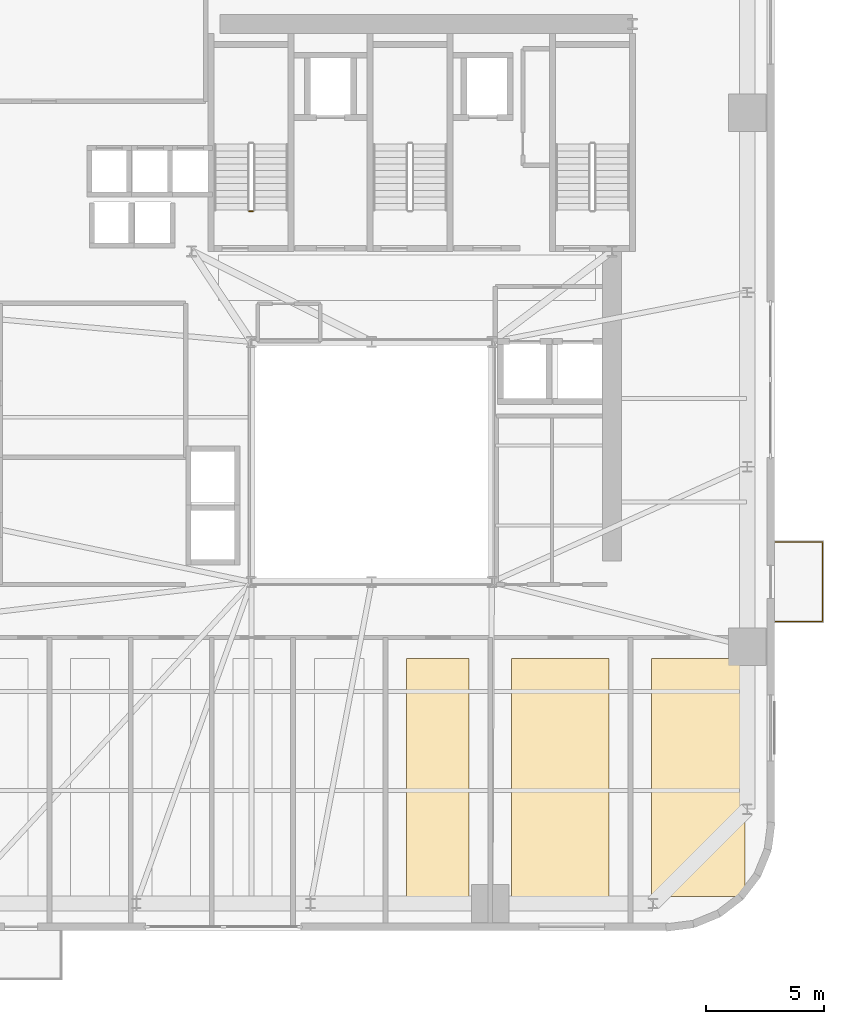
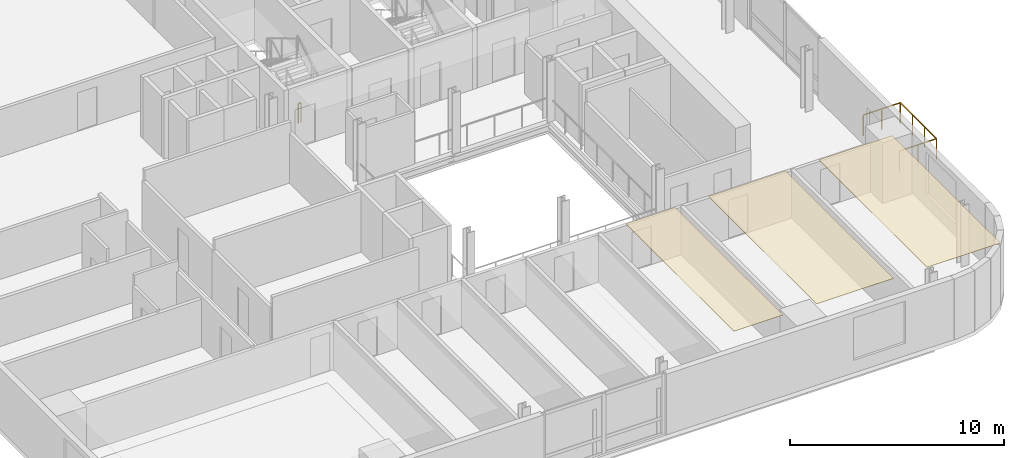
# One storey, part 11 of 14: 3 coverings, 2 railings.
"""IFC4 building model written with IfcOpenShell, lengths in metres."""

from ifc_helpers import new_model, si_unit, direction, frame, origin, origin_2d, place, context, subcontext, project, spatial, polyline, rectangle, outline, extrude, source, transform, mapped, material, layer, layer_set, type_object, element, save


model = new_model("IFC4")

# Units and contexts
model_context = context("Model", 3, precision=1e-05, world=origin(), true_north=direction((0.0, 1.0)))
body_context = subcontext(model_context, "Body", "Model", "MODEL_VIEW")
ifc_project = project(units=[si_unit("LENGTHUNIT", "METRE"), si_unit("AREAUNIT", "SQUARE_METRE"), si_unit("VOLUMEUNIT", "CUBIC_METRE"), si_unit("PLANEANGLEUNIT", "RADIAN"), si_unit("MASSUNIT", "GRAM", prefix="KILO")], contexts=[model_context])

# Site, building, storey
site_placement = place(None, origin())
site = spatial("IfcSite", under=ifc_project, at=site_placement, CompositionType="ELEMENT")
building_placement = place(site_placement, origin())
building = spatial("IfcBuilding", under=site, at=building_placement, Name="Vardaveli Station Tower", CompositionType="ELEMENT")
storey_placement = place(building_placement, frame((0.0, 0.0, 133.5)))
storey = spatial("IfcBuildingStorey", under=building, at=storey_placement, Name="L34", CompositionType="ELEMENT", Elevation=133.5)

# Coverings
ifc_material_1 = material(Name="Perforated acoustic mineral ceiling")
ifc_layer = layer(ifc_material_1, 0.02001953125, Name="Perforated acoustic mineral ceiling")
ifc_layer_set = layer_set([ifc_layer], Name="Perforated acoustic mineral ceiling")
covering_type = type_object("IfcCoveringType", Name="COV-CEIL-AC20", PredefinedType="CEILING", material=ifc_layer_set)
covering_1_placement = place(storey_placement, frame((0.0, 0.0, 3.445068359375)))
element("IfcCovering", 1, at=covering_1_placement, inside=storey, type_object=covering_type, Name="CEIL-L34-6", PredefinedType="CEILING", context=body_context, shape_type="SweptSolid", body=[
    extrude(outline(polyline([(37.78173828125, 3.25), (40.4345703125, 3.25), (40.4345703125, 13.35009765625), (37.78173828125, 13.35009765625), (37.78173828125, 3.25)])), origin(), (0.0, 0.0, 1.0), 0.02001953125),
])
covering_2_placement = place(storey_placement, frame((0.0, 0.0, 3.445068359375)))
element("IfcCovering", 2, at=covering_2_placement, inside=storey, type_object=covering_type, Name="CEIL-L34-7", PredefinedType="CEILING", context=body_context, shape_type="SweptSolid", body=[
    extrude(outline(polyline([(42.234619140625, 3.25), (46.387451171875, 3.25), (46.387451171875, 13.35009765625), (42.234619140625, 13.35009765625), (42.234619140625, 3.25)])), origin(), (0.0, 0.0, 1.0), 0.02001953125),
])
covering_3_placement = place(storey_placement, frame((0.0, 0.0, 3.445068359375)))
element("IfcCovering", 3, at=covering_3_placement, inside=storey, type_object=covering_type, Name="CEIL-L34-8", PredefinedType="CEILING", context=body_context, shape_type="SweptSolid", body=[
    extrude(outline(polyline([(48.1875, 3.25), (52.14990234375, 3.25), (52.14990234375, 13.35009765625), (48.1875, 13.35009765625), (48.1875, 3.25)])), origin(), (0.0, 0.0, 1.0), 0.02001953125),
])

# Railings
ifc_material_2 = material(Name="Laminated glass and stainless steel balustrade", Category="steel")
railing_type_1 = type_object("IfcRailingType", Name="RL-BAL-1200", PredefinedType="BALUSTRADE", material=ifc_material_2)
shared_shape_1 = source(origin(), body_context, "Body", "SweptSolid", [
    extrude(rectangle(XDim=0.048095703125, YDim=0.048095703125, at=origin_2d()), frame((0.0, 0.0, 1.17578125), z_axis=(1.0, 0.0, 0.0), x_axis=(0.0, 1.0, 0.0)), (0.0, 0.0, 1.0), 2.0),
    extrude(rectangle(XDim=0.048095703125, YDim=0.048095703125, at=origin_2d()), frame((2.0, 0.0, 1.17578125), z_axis=(0.0, 1.0, 0.0), x_axis=(-1.0, 0.0, 0.0)), (0.0, 0.0, 1.0), 3.3798828125),
    extrude(rectangle(XDim=0.048095703125, YDim=0.048095703125, at=origin_2d()), frame((2.0, 3.3798828125, 1.17578125), z_axis=(-1.0, 0.0, 0.0), x_axis=(0.0, -1.0, 0.0)), (0.0, 0.0, 1.0), 2.0),
    extrude(rectangle(XDim=0.0419921875, YDim=0.0419921875, at=origin_2d()), origin(), (0.0, 0.0, 1.0), 1.15185546875),
    extrude(rectangle(XDim=0.0419921875, YDim=0.0419921875, at=origin_2d()), frame((1.0, 0.0, 0.0)), (0.0, 0.0, 1.0), 1.15185546875),
    extrude(rectangle(XDim=0.0419921875, YDim=0.0419921875, at=origin_2d()), frame((2.0, 0.0, 0.0)), (0.0, 0.0, 1.0), 1.15185546875),
    extrude(rectangle(XDim=0.0419921875, YDim=0.0419921875, at=origin_2d()), frame((2.0, 1.126708984375, 0.0)), (0.0, 0.0, 1.0), 1.15185546875),
    extrude(rectangle(XDim=0.0419921875, YDim=0.0419921875, at=origin_2d()), frame((2.0, 2.253173828125, 0.0)), (0.0, 0.0, 1.0), 1.15185546875),
    extrude(rectangle(XDim=0.0419921875, YDim=0.0419921875, at=origin_2d()), frame((2.0, 3.3798828125, 0.0)), (0.0, 0.0, 1.0), 1.15185546875),
    extrude(rectangle(XDim=0.0419921875, YDim=0.0419921875, at=origin_2d()), frame((1.0, 3.3798828125, 0.0)), (0.0, 0.0, 1.0), 1.15185546875),
    extrude(rectangle(XDim=0.0419921875, YDim=0.0419921875, at=origin_2d()), frame((0.0, 3.3798828125, 0.0)), (0.0, 0.0, 1.0), 1.15185546875),
])
railing_1_placement = place(storey_placement, frame((53.43994140625, 14.92041015625, 0.0)))
element("IfcRailing", 4, at=railing_1_placement, inside=storey, type_object=railing_type_1, Name="RL-LOG-L34-04", PredefinedType="BALUSTRADE", context=body_context, shape_type="MappedRepresentation", body=[
    mapped(shared_shape_1, transform((0.0, 0.0, 0.0), scale=1.0)),
])
ifc_material_3 = material(Name="Brushed AISI 316 stainless steel", Category="steel")
railing_type_2 = type_object("IfcRailingType", Name="RL-GUARD-1150", PredefinedType="GUARDRAIL", material=ifc_material_3)
shared_shape_2 = source(origin(), body_context, "Body", "SweptSolid", [
    extrude(rectangle(XDim=0.048095703125, YDim=0.048095703125, at=origin_2d()), frame((0.0, 0.0, 1.1259765625), z_axis=(-1.0, 0.0, 0.0), x_axis=(0.0, -1.0, 0.0)), (0.0, 0.0, 1.0), 0.14990234375),
    extrude(rectangle(XDim=0.0419921875, YDim=0.0419921875, at=origin_2d()), origin(), (0.0, 0.0, 1.0), 1.101806640625),
    extrude(rectangle(XDim=0.0419921875, YDim=0.0419921875, at=origin_2d()), frame((-0.14990234375, 0.0, 0.0)), (0.0, 0.0, 1.0), 1.101806640625),
])
railing_2_placement = place(storey_placement, frame((31.25, 32.35009765625, 0.0)))
element("IfcRailing", 5, at=railing_2_placement, inside=storey, type_object=railing_type_2, Name="L34 ST-1 stair guard 4", PredefinedType="GUARDRAIL", context=body_context, shape_type="MappedRepresentation", body=[
    mapped(shared_shape_2, transform((0.0, 0.0, 0.0), scale=1.0)),
])

save(model, "model.ifc")
